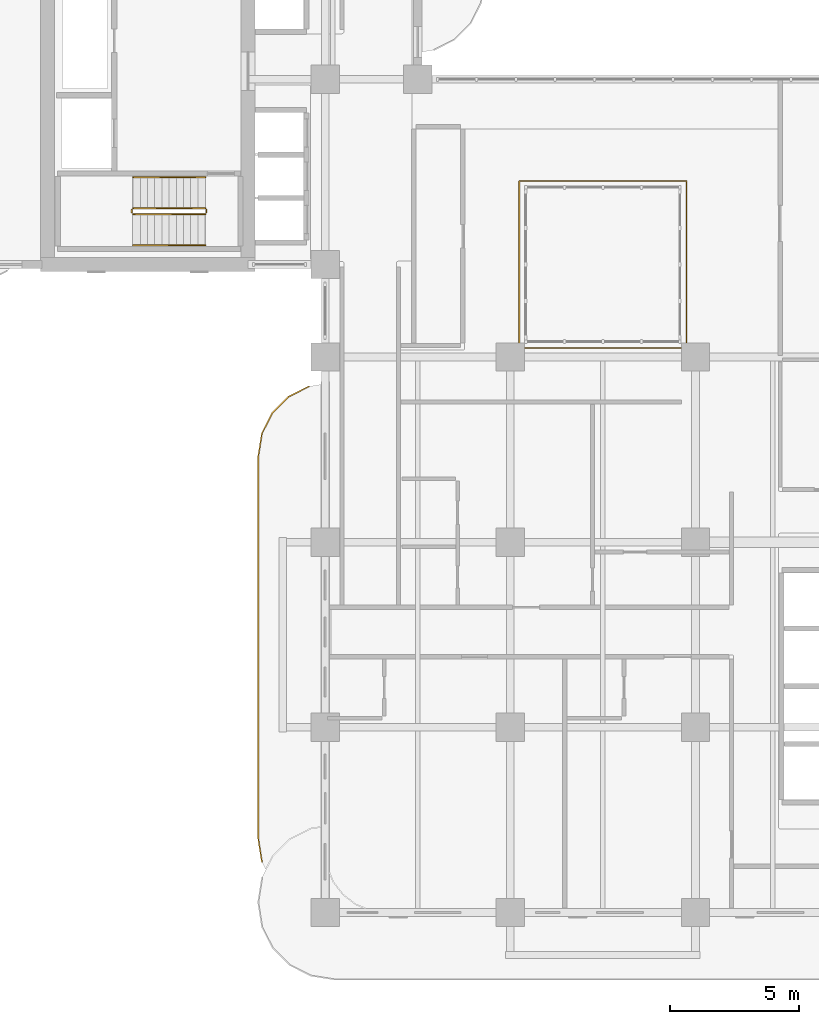
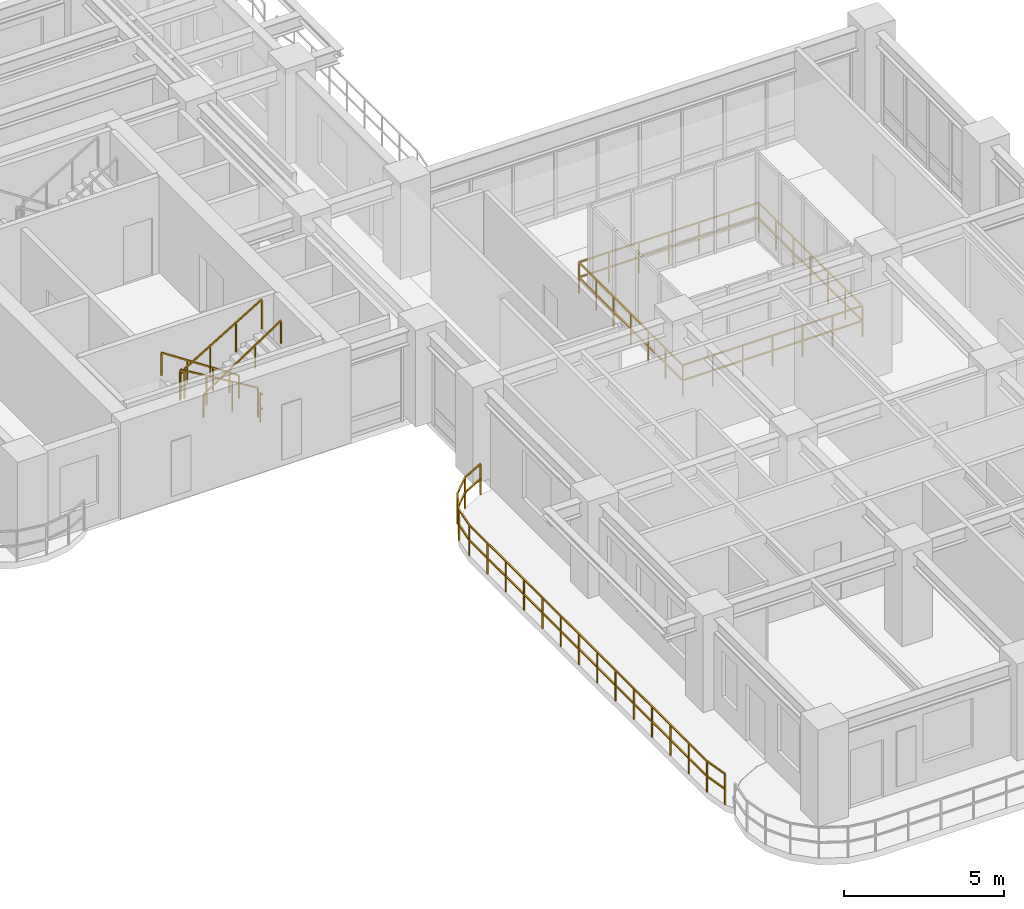
# One storey, part 18 of 22: 8 railings.
"""IFC4 building model written with IfcOpenShell, lengths in metres."""

from ifc_helpers import new_model, si_unit, derived_unit, direction, frame, origin, origin_2d, place, context, subcontext, project, spatial, rectangle, extrude, material, type_object, element, save


model = new_model("IFC4")

# Units and contexts
model_context = context("Model", 3, precision=1e-05, world=origin(), true_north=direction((0.0, 1.0)))
body_context = subcontext(model_context, "Body", "Model", "MODEL_VIEW")
ifc_project = project(units=[si_unit("LENGTHUNIT", "METRE"), si_unit("AREAUNIT", "SQUARE_METRE"), si_unit("VOLUMEUNIT", "CUBIC_METRE"), si_unit("PLANEANGLEUNIT", "RADIAN"), si_unit("MASSUNIT", "GRAM", prefix="KILO"), si_unit("THERMODYNAMICTEMPERATUREUNIT", "KELVIN"), si_unit("POWERUNIT", "WATT"), derived_unit("THERMALTRANSMITTANCEUNIT", [(si_unit("POWERUNIT", "WATT"), 1), (si_unit("AREAUNIT", "SQUARE_METRE"), -1), (si_unit("THERMODYNAMICTEMPERATUREUNIT", "KELVIN"), -1)])], contexts=[model_context])

# Site, building, storey
site_placement = place(None, origin())
site = spatial("IfcSite", under=ifc_project, at=site_placement, CompositionType="ELEMENT")
building_placement = place(site_placement, origin())
building = spatial("IfcBuilding", under=site, at=building_placement, Name="Zahravan Archway Hotel and Residences", CompositionType="ELEMENT")
storey_placement = place(building_placement, frame((0.0, 0.0, 91.60009765625)))
storey = spatial("IfcBuildingStorey", under=building, at=storey_placement, Name="L22", CompositionType="ELEMENT", Elevation=91.60009765625)

# Railings
ifc_material_1 = material(Name="Atrium Laminated Glass Guardrail", Category="glass")
railing_type_1 = type_object("IfcRailingType", Name="RL-ATR-1200", PredefinedType="BALUSTRADE", material=ifc_material_1)
railing_1_placement = place(storey_placement, frame((21.949951171875, 21.949951171875, 0.0)))
element("IfcRailing", 1, at=railing_1_placement, inside=storey, type_object=railing_type_1, Name="L22 Balustrade RL-ATR-L22", PredefinedType="BALUSTRADE", context=body_context, shape_type="SweptSolid", body=[
    extrude(rectangle(XDim=0.048095703125, YDim=0.048095703125, at=origin_2d()), frame((0.0, 0.0, 1.17578125), z_axis=(1.0, 0.0, 0.0), x_axis=(0.0, 1.0, 0.0)), (0.0, 0.0, 1.0), 6.5),
    extrude(rectangle(XDim=0.048095703125, YDim=0.048095703125, at=origin_2d()), frame((0.0, 0.0, 0.60009765625), z_axis=(1.0, 0.0, 0.0), x_axis=(0.0, 1.0, 0.0)), (0.0, 0.0, 1.0), 6.5),
    extrude(rectangle(XDim=0.048095703125, YDim=0.048095703125, at=origin_2d()), frame((6.5, 0.0, 1.17578125), z_axis=(0.0, 1.0, 0.0), x_axis=(-1.0, 0.0, 0.0)), (0.0, 0.0, 1.0), 6.5),
    extrude(rectangle(XDim=0.048095703125, YDim=0.048095703125, at=origin_2d()), frame((6.5, 0.0, 0.60009765625), z_axis=(0.0, 1.0, 0.0), x_axis=(-1.0, 0.0, 0.0)), (0.0, 0.0, 1.0), 6.5),
    extrude(rectangle(XDim=0.048095703125, YDim=0.048095703125, at=origin_2d()), frame((6.5, 6.5, 1.17578125), z_axis=(-1.0, 0.0, 0.0), x_axis=(0.0, -1.0, 0.0)), (0.0, 0.0, 1.0), 6.5),
    extrude(rectangle(XDim=0.048095703125, YDim=0.048095703125, at=origin_2d()), frame((6.5, 6.5, 0.60009765625), z_axis=(-1.0, 0.0, 0.0), x_axis=(0.0, -1.0, 0.0)), (0.0, 0.0, 1.0), 6.5),
    extrude(rectangle(XDim=0.048095703125, YDim=0.048095703125, at=origin_2d()), frame((0.0, 6.5, 1.17578125), z_axis=(0.0, -1.0, 0.0), x_axis=(1.0, 0.0, 0.0)), (0.0, 0.0, 1.0), 6.5),
    extrude(rectangle(XDim=0.048095703125, YDim=0.048095703125, at=origin_2d()), frame((0.0, 6.5, 0.60009765625), z_axis=(0.0, -1.0, 0.0), x_axis=(1.0, 0.0, 0.0)), (0.0, 0.0, 1.0), 6.5),
    extrude(rectangle(XDim=0.0419921875, YDim=0.0419921875, at=origin_2d()), origin(), (0.0, 0.0, 1.0), 1.15185546875),
    extrude(rectangle(XDim=0.0419921875, YDim=0.0419921875, at=origin_2d()), frame((1.083251953125, 0.0, 0.0)), (0.0, 0.0, 1.0), 1.15185546875),
    extrude(rectangle(XDim=0.0419921875, YDim=0.0419921875, at=origin_2d()), frame((2.166748046875, 0.0, 0.0)), (0.0, 0.0, 1.0), 1.15185546875),
    extrude(rectangle(XDim=0.0419921875, YDim=0.0419921875, at=origin_2d()), frame((3.25, 0.0, 0.0)), (0.0, 0.0, 1.0), 1.15185546875),
    extrude(rectangle(XDim=0.0419921875, YDim=0.0419921875, at=origin_2d()), frame((4.333251953125, 0.0, 0.0)), (0.0, 0.0, 1.0), 1.15185546875),
    extrude(rectangle(XDim=0.0419921875, YDim=0.0419921875, at=origin_2d()), frame((5.416748046875, 0.0, 0.0)), (0.0, 0.0, 1.0), 1.15185546875),
    extrude(rectangle(XDim=0.0419921875, YDim=0.0419921875, at=origin_2d()), frame((6.5, 0.0, 0.0)), (0.0, 0.0, 1.0), 1.15185546875),
    extrude(rectangle(XDim=0.0419921875, YDim=0.0419921875, at=origin_2d()), frame((6.5, 1.083251953125, 0.0)), (0.0, 0.0, 1.0), 1.15185546875),
    extrude(rectangle(XDim=0.0419921875, YDim=0.0419921875, at=origin_2d()), frame((6.5, 2.166748046875, 0.0)), (0.0, 0.0, 1.0), 1.15185546875),
    extrude(rectangle(XDim=0.0419921875, YDim=0.0419921875, at=origin_2d()), frame((6.5, 3.25, 0.0)), (0.0, 0.0, 1.0), 1.15185546875),
    extrude(rectangle(XDim=0.0419921875, YDim=0.0419921875, at=origin_2d()), frame((6.5, 4.333251953125, 0.0)), (0.0, 0.0, 1.0), 1.15185546875),
    extrude(rectangle(XDim=0.0419921875, YDim=0.0419921875, at=origin_2d()), frame((6.5, 5.416748046875, 0.0)), (0.0, 0.0, 1.0), 1.15185546875),
    extrude(rectangle(XDim=0.0419921875, YDim=0.0419921875, at=origin_2d()), frame((6.5, 6.5, 0.0)), (0.0, 0.0, 1.0), 1.15185546875),
    extrude(rectangle(XDim=0.0419921875, YDim=0.0419921875, at=origin_2d()), frame((5.416748046875, 6.5, 0.0)), (0.0, 0.0, 1.0), 1.15185546875),
    extrude(rectangle(XDim=0.0419921875, YDim=0.0419921875, at=origin_2d()), frame((4.333251953125, 6.5, 0.0)), (0.0, 0.0, 1.0), 1.15185546875),
    extrude(rectangle(XDim=0.0419921875, YDim=0.0419921875, at=origin_2d()), frame((3.25, 6.5, 0.0)), (0.0, 0.0, 1.0), 1.15185546875),
    extrude(rectangle(XDim=0.0419921875, YDim=0.0419921875, at=origin_2d()), frame((2.166748046875, 6.5, 0.0)), (0.0, 0.0, 1.0), 1.15185546875),
    extrude(rectangle(XDim=0.0419921875, YDim=0.0419921875, at=origin_2d()), frame((1.083251953125, 6.5, 0.0)), (0.0, 0.0, 1.0), 1.15185546875),
    extrude(rectangle(XDim=0.0419921875, YDim=0.0419921875, at=origin_2d()), frame((0.0, 6.5, 0.0)), (0.0, 0.0, 1.0), 1.15185546875),
    extrude(rectangle(XDim=0.0419921875, YDim=0.0419921875, at=origin_2d()), frame((0.0, 5.416748046875, 0.0)), (0.0, 0.0, 1.0), 1.15185546875),
    extrude(rectangle(XDim=0.0419921875, YDim=0.0419921875, at=origin_2d()), frame((0.0, 4.333251953125, 0.0)), (0.0, 0.0, 1.0), 1.15185546875),
    extrude(rectangle(XDim=0.0419921875, YDim=0.0419921875, at=origin_2d()), frame((0.0, 3.25, 0.0)), (0.0, 0.0, 1.0), 1.15185546875),
    extrude(rectangle(XDim=0.0419921875, YDim=0.0419921875, at=origin_2d()), frame((0.0, 2.166748046875, 0.0)), (0.0, 0.0, 1.0), 1.15185546875),
    extrude(rectangle(XDim=0.0419921875, YDim=0.0419921875, at=origin_2d()), frame((0.0, 1.083251953125, 0.0)), (0.0, 0.0, 1.0), 1.15185546875),
])
ifc_material_2 = material(Name="Bronze & Laminated Glass Balustrade", Category="glass")
railing_type_2 = type_object("IfcRailingType", Name="RL-BAL-1200", PredefinedType="BALUSTRADE", material=ifc_material_2)
railing_2_placement = place(storey_placement, frame((11.939453125, 1.96923828125, 0.0)))
element("IfcRailing", 2, at=railing_2_placement, inside=storey, type_object=railing_type_2, Name="L22 Balustrade RL-SLB-BAL-L22-WA-1", PredefinedType="BALUSTRADE", context=body_context, shape_type="SweptSolid", body=[
    extrude(rectangle(XDim=0.048095703125, YDim=0.048095703125, at=origin_2d()), frame((0.0, 0.0, 1.17578125), z_axis=(-0.156314005608, 0.987707411965, 0.0), x_axis=(-0.987707411965, -0.156314005608, 0.0)), (0.0, 0.0, 1.0), 0.891845703125),
    extrude(rectangle(XDim=0.048095703125, YDim=0.048095703125, at=origin_2d()), frame((0.0, 0.0, 0.60009765625), z_axis=(-0.156314005608, 0.987707411965, 0.0), x_axis=(-0.987707411965, -0.156314005608, 0.0)), (0.0, 0.0, 1.0), 0.891845703125),
    extrude(rectangle(XDim=0.048095703125, YDim=0.048095703125, at=origin_2d()), frame((-0.139404296875, 0.880859375, 1.17578125), z_axis=(0.0, 1.0, 0.0), x_axis=(-1.0, 0.0, 0.0)), (0.0, 0.0, 1.0), 14.89990234375),
    extrude(rectangle(XDim=0.048095703125, YDim=0.048095703125, at=origin_2d()), frame((-0.139404296875, 0.880859375, 0.60009765625), z_axis=(0.0, 1.0, 0.0), x_axis=(-1.0, 0.0, 0.0)), (0.0, 0.0, 1.0), 14.89990234375),
    extrude(rectangle(XDim=0.048095703125, YDim=0.048095703125, at=origin_2d()), frame((-0.139404296875, 15.78076171875, 1.17578125), z_axis=(0.156356282588, 0.987700720307, 0.0), x_axis=(-0.987700720307, 0.156356282588, 0.0)), (0.0, 0.0, 1.0), 0.8916015625),
    extrude(rectangle(XDim=0.048095703125, YDim=0.048095703125, at=origin_2d()), frame((-0.139404296875, 15.78076171875, 0.60009765625), z_axis=(0.156356282588, 0.987700720307, 0.0), x_axis=(-0.987700720307, 0.156356282588, 0.0)), (0.0, 0.0, 1.0), 0.8916015625),
    extrude(rectangle(XDim=0.048095703125, YDim=0.048095703125, at=origin_2d()), frame((0.0, 16.661376953125, 1.17578125), z_axis=(0.45388067135, 0.891062476022, 0.0), x_axis=(-0.891062476022, 0.45388067135, 0.0)), (0.0, 0.0, 1.0), 0.891845703125),
    extrude(rectangle(XDim=0.048095703125, YDim=0.048095703125, at=origin_2d()), frame((0.0, 16.661376953125, 0.60009765625), z_axis=(0.45388067135, 0.891062476022, 0.0), x_axis=(-0.891062476022, 0.45388067135, 0.0)), (0.0, 0.0, 1.0), 0.891845703125),
    extrude(rectangle(XDim=0.048095703125, YDim=0.048095703125, at=origin_2d()), frame((0.40478515625, 17.4560546875, 1.17578125), z_axis=(0.70724367147, 0.706969864397, 0.0), x_axis=(-0.706969864397, 0.70724367147, 0.0)), (0.0, 0.0, 1.0), 0.8916015625),
    extrude(rectangle(XDim=0.048095703125, YDim=0.048095703125, at=origin_2d()), frame((0.40478515625, 17.4560546875, 0.60009765625), z_axis=(0.70724367147, 0.706969864397, 0.0), x_axis=(-0.706969864397, 0.70724367147, 0.0)), (0.0, 0.0, 1.0), 0.8916015625),
    extrude(rectangle(XDim=0.048095703125, YDim=0.048095703125, at=origin_2d()), frame((1.035400390625, 18.08642578125, 1.17578125), z_axis=(0.891006060389, 0.453991409995, 0.0), x_axis=(-0.453991409995, 0.891006060389, 0.0)), (0.0, 0.0, 1.0), 0.8916015625),
    extrude(rectangle(XDim=0.048095703125, YDim=0.048095703125, at=origin_2d()), frame((1.035400390625, 18.08642578125, 0.60009765625), z_axis=(0.891006060389, 0.453991409995, 0.0), x_axis=(-0.453991409995, 0.891006060389, 0.0)), (0.0, 0.0, 1.0), 0.8916015625),
    extrude(rectangle(XDim=0.0419921875, YDim=0.0419921875, at=origin_2d()), origin(), (0.0, 0.0, 1.0), 1.15185546875),
    extrude(rectangle(XDim=0.0419921875, YDim=0.0419921875, at=origin_2d()), frame((-0.139404296875, 0.880859375, 0.0)), (0.0, 0.0, 1.0), 1.15185546875),
    extrude(rectangle(XDim=0.0419921875, YDim=0.0419921875, at=origin_2d()), frame((-0.139404296875, 2.027099609375, 0.0)), (0.0, 0.0, 1.0), 1.15185546875),
    extrude(rectangle(XDim=0.0419921875, YDim=0.0419921875, at=origin_2d()), frame((-0.139404296875, 3.173095703125, 0.0)), (0.0, 0.0, 1.0), 1.15185546875),
    extrude(rectangle(XDim=0.0419921875, YDim=0.0419921875, at=origin_2d()), frame((-0.139404296875, 4.3193359375, 0.0)), (0.0, 0.0, 1.0), 1.15185546875),
    extrude(rectangle(XDim=0.0419921875, YDim=0.0419921875, at=origin_2d()), frame((-0.139404296875, 5.46533203125, 0.0)), (0.0, 0.0, 1.0), 1.15185546875),
    extrude(rectangle(XDim=0.0419921875, YDim=0.0419921875, at=origin_2d()), frame((-0.139404296875, 6.611572265625, 0.0)), (0.0, 0.0, 1.0), 1.15185546875),
    extrude(rectangle(XDim=0.0419921875, YDim=0.0419921875, at=origin_2d()), frame((-0.139404296875, 7.7578125, 0.0)), (0.0, 0.0, 1.0), 1.15185546875),
    extrude(rectangle(XDim=0.0419921875, YDim=0.0419921875, at=origin_2d()), frame((-0.139404296875, 8.90380859375, 0.0)), (0.0, 0.0, 1.0), 1.15185546875),
    extrude(rectangle(XDim=0.0419921875, YDim=0.0419921875, at=origin_2d()), frame((-0.139404296875, 10.050048828125, 0.0)), (0.0, 0.0, 1.0), 1.15185546875),
    extrude(rectangle(XDim=0.0419921875, YDim=0.0419921875, at=origin_2d()), frame((-0.139404296875, 11.1962890625, 0.0)), (0.0, 0.0, 1.0), 1.15185546875),
    extrude(rectangle(XDim=0.0419921875, YDim=0.0419921875, at=origin_2d()), frame((-0.139404296875, 12.34228515625, 0.0)), (0.0, 0.0, 1.0), 1.15185546875),
    extrude(rectangle(XDim=0.0419921875, YDim=0.0419921875, at=origin_2d()), frame((-0.139404296875, 13.488525390625, 0.0)), (0.0, 0.0, 1.0), 1.15185546875),
    extrude(rectangle(XDim=0.0419921875, YDim=0.0419921875, at=origin_2d()), frame((-0.139404296875, 14.634521484375, 0.0)), (0.0, 0.0, 1.0), 1.15185546875),
    extrude(rectangle(XDim=0.0419921875, YDim=0.0419921875, at=origin_2d()), frame((-0.139404296875, 15.78076171875, 0.0)), (0.0, 0.0, 1.0), 1.15185546875),
    extrude(rectangle(XDim=0.0419921875, YDim=0.0419921875, at=origin_2d()), frame((0.0, 16.661376953125, 0.0)), (0.0, 0.0, 1.0), 1.15185546875),
    extrude(rectangle(XDim=0.0419921875, YDim=0.0419921875, at=origin_2d()), frame((0.40478515625, 17.4560546875, 0.0)), (0.0, 0.0, 1.0), 1.15185546875),
    extrude(rectangle(XDim=0.0419921875, YDim=0.0419921875, at=origin_2d()), frame((1.035400390625, 18.08642578125, 0.0)), (0.0, 0.0, 1.0), 1.15185546875),
    extrude(rectangle(XDim=0.0419921875, YDim=0.0419921875, at=origin_2d()), frame((1.829833984375, 18.4912109375, 0.0)), (0.0, 0.0, 1.0), 1.15185546875),
])
ifc_material_3 = material(Name="Painted Tubular Steel", Category="steel")
railing_type_3 = type_object("IfcRailingType", Name="RL-STG-1150", PredefinedType="GUARDRAIL", material=ifc_material_3)
railing_3_placement = place(storey_placement, frame((9.72998046875, 27.389892578125, 0.16796875)))
element("IfcRailing", 3, at=railing_3_placement, inside=storey, type_object=railing_type_3, Name="L22 ST-B1 stair guard 1", PredefinedType="GUARDRAIL", context=body_context, shape_type="SweptSolid", body=[
    extrude(rectangle(XDim=0.048095703125, YDim=0.048095703125, at=origin_2d()), frame((0.0, 0.0, 1.1259765625), z_axis=(-0.857242210791, 0.0, 0.514913383045), x_axis=(0.0, -1.0, 0.0)), (0.0, 0.0, 1.0), 3.266357421875),
    extrude(rectangle(XDim=0.0419921875, YDim=0.0419921875, at=origin_2d()), origin(), (0.0, 0.0, 1.0), 1.101806640625),
    extrude(rectangle(XDim=0.0419921875, YDim=0.0419921875, at=origin_2d()), frame((-0.933349609375, 0.0, 0.560546875)), (0.0, 0.0, 1.0), 1.101806640625),
    extrude(rectangle(XDim=0.0419921875, YDim=0.0419921875, at=origin_2d()), frame((-1.86669921875, 0.0, 1.121337890625)), (0.0, 0.0, 1.0), 1.101806640625),
    extrude(rectangle(XDim=0.0419921875, YDim=0.0419921875, at=origin_2d()), frame((-2.800048828125, 0.0, 1.681884765625)), (0.0, 0.0, 1.0), 1.101806640625),
])
railing_4_placement = place(storey_placement, frame((6.8798828125, 27.340087890625, 1.849853515625)))
element("IfcRailing", 4, at=railing_4_placement, inside=storey, type_object=railing_type_3, Name="L22 ST-B1 stair guard 2", PredefinedType="GUARDRAIL", context=body_context, shape_type="SweptSolid", body=[
    extrude(rectangle(XDim=0.048095703125, YDim=0.048095703125, at=origin_2d()), frame((0.0, 0.0, 1.1259765625), z_axis=(0.0, -1.0, 0.0), x_axis=(1.0, 0.0, 0.0)), (0.0, 0.0, 1.0), 0.14013671875),
    extrude(rectangle(XDim=0.048095703125, YDim=0.048095703125, at=origin_2d()), frame((0.0, 0.0, 0.574951171875), z_axis=(0.0, -1.0, 0.0), x_axis=(1.0, 0.0, 0.0)), (0.0, 0.0, 1.0), 0.14013671875),
    extrude(rectangle(XDim=0.0419921875, YDim=0.0419921875, at=origin_2d()), origin(), (0.0, 0.0, 1.0), 1.101806640625),
])
railing_5_placement = place(storey_placement, frame((6.929931640625, 27.14990234375, 2.01806640625)))
element("IfcRailing", 5, at=railing_5_placement, inside=storey, type_object=railing_type_3, Name="L22 ST-B1 stair guard 3", PredefinedType="GUARDRAIL", context=body_context, shape_type="SweptSolid", body=[
    extrude(rectangle(XDim=0.048095703125, YDim=0.048095703125, at=origin_2d()), frame((0.0, 0.0, 1.1259765625), z_axis=(0.857242210791, 0.0, 0.514913383045), x_axis=(0.0, 1.0, 0.0)), (0.0, 0.0, 1.0), 3.266357421875),
    extrude(rectangle(XDim=0.0419921875, YDim=0.0419921875, at=origin_2d()), origin(), (0.0, 0.0, 1.0), 1.101806640625),
    extrude(rectangle(XDim=0.0419921875, YDim=0.0419921875, at=origin_2d()), frame((0.933349609375, 0.0, 0.560546875)), (0.0, 0.0, 1.0), 1.101806640625),
    extrude(rectangle(XDim=0.0419921875, YDim=0.0419921875, at=origin_2d()), frame((1.86669921875, 0.0, 1.121337890625)), (0.0, 0.0, 1.0), 1.101806640625),
    extrude(rectangle(XDim=0.0419921875, YDim=0.0419921875, at=origin_2d()), frame((2.800048828125, 0.0, 1.681884765625)), (0.0, 0.0, 1.0), 1.101806640625),
])
railing_6_placement = place(storey_placement, frame((9.780029296875, 27.340087890625, 0.0)))
element("IfcRailing", 6, at=railing_6_placement, inside=storey, type_object=railing_type_3, Name="L22 ST-B1 stair guard 4", PredefinedType="GUARDRAIL", context=body_context, shape_type="SweptSolid", body=[
    extrude(rectangle(XDim=0.048095703125, YDim=0.048095703125, at=origin_2d()), frame((0.0, 0.0, 1.1259765625), z_axis=(0.0, -1.0, 0.0), x_axis=(1.0, 0.0, 0.0)), (0.0, 0.0, 1.0), 0.14013671875),
    extrude(rectangle(XDim=0.048095703125, YDim=0.048095703125, at=origin_2d()), frame((0.0, 0.0, 0.574951171875), z_axis=(0.0, -1.0, 0.0), x_axis=(1.0, 0.0, 0.0)), (0.0, 0.0, 1.0), 0.14013671875),
    extrude(rectangle(XDim=0.0419921875, YDim=0.0419921875, at=origin_2d()), origin(), (0.0, 0.0, 1.0), 1.101806640625),
])
ifc_material_4 = material(Name="Brushed Stainless Steel", Category="steel")
railing_type_4 = type_object("IfcRailingType", Name="RL-STH-900", PredefinedType="HANDRAIL", material=ifc_material_4)
railing_7_placement = place(storey_placement, frame((9.72998046875, 28.590087890625, 0.16796875)))
element("IfcRailing", 7, at=railing_7_placement, inside=storey, type_object=railing_type_4, Name="L22 ST-B1 stair handrail 1", PredefinedType="HANDRAIL", context=body_context, shape_type="SweptSolid", body=[
    extrude(rectangle(XDim=0.048095703125, YDim=0.048095703125, at=origin_2d()), frame((0.0, 0.0, 0.8759765625), z_axis=(-0.834326358476, 0.0, 0.551270829586), x_axis=(0.0, -1.0, 0.0)), (0.0, 0.0, 1.0), 3.35595703125),
    extrude(rectangle(XDim=0.0419921875, YDim=0.0419921875, at=origin_2d()), origin(), (0.0, 0.0, 1.0), 0.851806640625),
    extrude(rectangle(XDim=0.0419921875, YDim=0.0419921875, at=origin_2d()), frame((-0.933349609375, 0.0, 0.61669921875)), (0.0, 0.0, 1.0), 0.851806640625),
    extrude(rectangle(XDim=0.0419921875, YDim=0.0419921875, at=origin_2d()), frame((-1.86669921875, 0.0, 1.2333984375)), (0.0, 0.0, 1.0), 0.851806640625),
    extrude(rectangle(XDim=0.0419921875, YDim=0.0419921875, at=origin_2d()), frame((-2.800048828125, 0.0, 1.85009765625)), (0.0, 0.0, 1.0), 0.851806640625),
])
railing_8_placement = place(storey_placement, frame((6.929931640625, 25.949951171875, 2.01806640625)))
element("IfcRailing", 8, at=railing_8_placement, inside=storey, type_object=railing_type_4, Name="L22 ST-B1 stair handrail 2", PredefinedType="HANDRAIL", context=body_context, shape_type="SweptSolid", body=[
    extrude(rectangle(XDim=0.048095703125, YDim=0.048095703125, at=origin_2d()), frame((0.0, 0.0, 0.8759765625), z_axis=(0.834326358476, 0.0, 0.551270829586), x_axis=(0.0, 1.0, 0.0)), (0.0, 0.0, 1.0), 3.35595703125),
    extrude(rectangle(XDim=0.0419921875, YDim=0.0419921875, at=origin_2d()), origin(), (0.0, 0.0, 1.0), 0.851806640625),
    extrude(rectangle(XDim=0.0419921875, YDim=0.0419921875, at=origin_2d()), frame((0.933349609375, 0.0, 0.61669921875)), (0.0, 0.0, 1.0), 0.851806640625),
    extrude(rectangle(XDim=0.0419921875, YDim=0.0419921875, at=origin_2d()), frame((1.86669921875, 0.0, 1.2333984375)), (0.0, 0.0, 1.0), 0.851806640625),
    extrude(rectangle(XDim=0.0419921875, YDim=0.0419921875, at=origin_2d()), frame((2.800048828125, 0.0, 1.85009765625)), (0.0, 0.0, 1.0), 0.851806640625),
])

save(model, "model.ifc")
